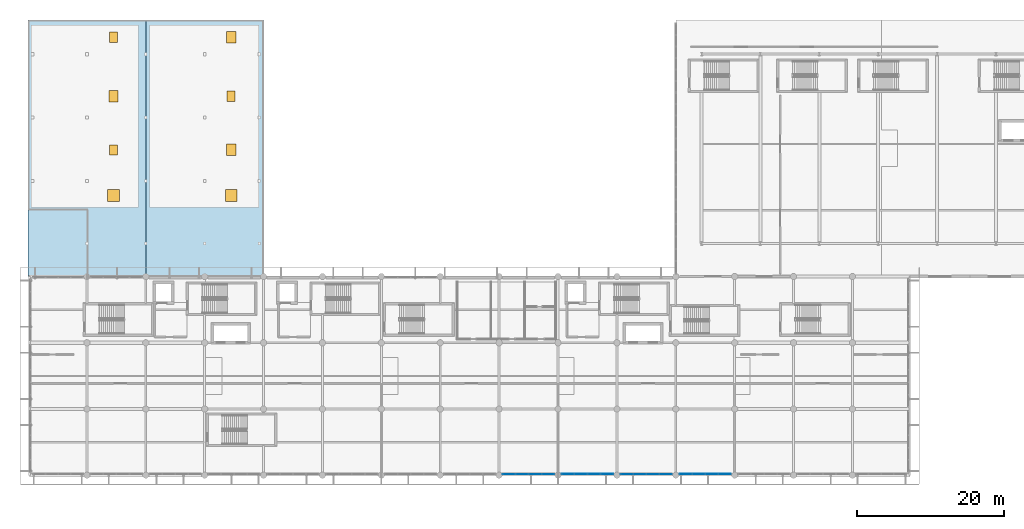
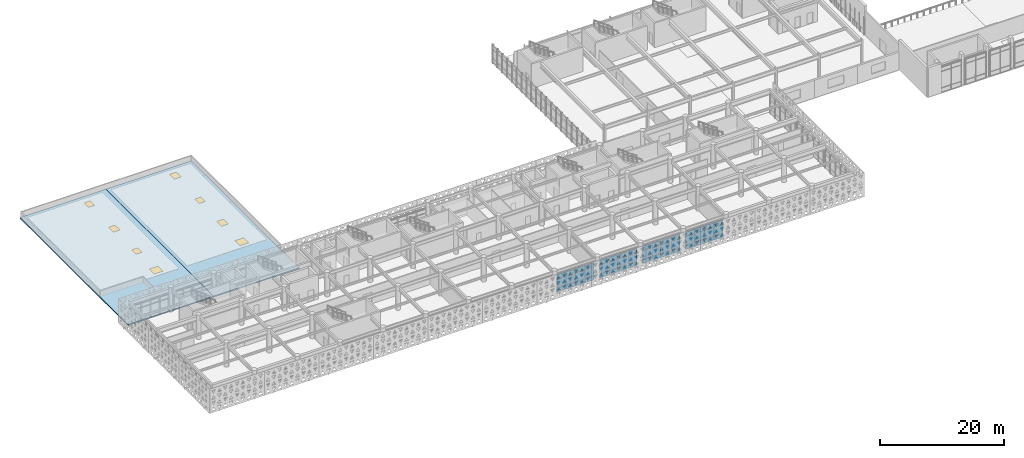
# One storey, part 30 of 54: 48 plates, 6 doors, 2 slabs, 2 windows, 8 openings, 4 elements without a shape of their own.
"""IFC4 building model written with IfcOpenShell, lengths in metres."""

from ifc_helpers import new_model, si_unit, direction, frame, origin, origin_2d, place, context, subcontext, project, spatial, polyline, rectangle, outline, extrude, material, layer, layer_set, type_object, element, fill, aggregate, save


model = new_model("IFC4")

# Units and contexts
model_context = context("Model", 3, precision=1e-05, world=origin(), true_north=direction((0.0, 1.0)))
body_context = subcontext(model_context, "Body", "Model", "MODEL_VIEW")
ifc_project = project(units=[si_unit("LENGTHUNIT", "METRE"), si_unit("AREAUNIT", "SQUARE_METRE"), si_unit("VOLUMEUNIT", "CUBIC_METRE"), si_unit("PLANEANGLEUNIT", "RADIAN"), si_unit("MASSUNIT", "GRAM", prefix="KILO")], contexts=[model_context])

# Site, building, storey
site_placement = place(None, origin())
site = spatial("IfcSite", under=ifc_project, at=site_placement, CompositionType="ELEMENT")
building_placement = place(site_placement, origin())
building = spatial("IfcBuilding", under=site, at=building_placement, Name="Tlacozan Convention Centre", CompositionType="ELEMENT")
storey_placement = place(building_placement, frame((0.0, 0.0, 11.39990234375)))
storey = spatial("IfcBuildingStorey", under=building, at=storey_placement, Name="L02", CompositionType="ELEMENT", Elevation=11.39990234375)

# Curtain wall, plates
ifc_material_1 = material(Name="Dark Bronze Anodised Aluminium", Category="aluminium")
ifc_layer_1 = layer(ifc_material_1, 0.159912109375)
ifc_layer_set_1 = layer_set([ifc_layer_1], Name="Dark Bronze Anodised Aluminium")
curtain_wall_type = type_object("IfcCurtainWallType", Name="Unitised Congress L02 South CW03", PredefinedType="NOTDEFINED", material=ifc_layer_set_1)
curtain_wall_1_placement = place(storey_placement, origin())
curtain_wall_1 = element("IfcCurtainWall", 1, at=curtain_wall_1_placement, inside=storey, type_object=curtain_wall_type, Name="L02 CW-03 Run 86", PredefinedType="NOTDEFINED")
ifc_material_2 = material(Name="Solar Control Double Low-E Argon Glazing", Category="glass")
ifc_layer_2 = layer(ifc_material_2, 0.02001953125)
ifc_layer_set_2 = layer_set([ifc_layer_2], Name="Solar Control Double Low-E Argon Glazing")
plate_type_1 = type_object("IfcPlateType", Name="Double Low-E Glazed CW Panel 20", PredefinedType="CURTAIN_PANEL", material=ifc_layer_set_2)
plate_1_placement = place(storey_placement, frame((65.353759765625, 0.159912109375, 0.06494140625), z_axis=(0.0, 0.0, 1.0), x_axis=(1.0, 0.0, 0.0)))
plate_1 = element("IfcPlate", 2, at=plate_1_placement, type_object=plate_type_1, Name="CW-03 panel 1.1", PredefinedType="CURTAIN_PANEL", context=body_context, shape_type="SweptSolid", body=[
    extrude(rectangle(XDim=1.677490234375, YDim=0.02001953125, at=origin_2d()), origin(), (0.0, 0.0, 1.0), 0.802490234375),
])
plate_2_placement = place(storey_placement, frame((65.353759765625, 0.159912109375, 0.9326171875), z_axis=(0.0, 0.0, 1.0), x_axis=(1.0, 0.0, 0.0)))
plate_2 = element("IfcPlate", 3, at=plate_2_placement, type_object=plate_type_1, Name="CW-03 panel 1.2", PredefinedType="CURTAIN_PANEL", context=body_context, shape_type="SweptSolid", body=[
    extrude(rectangle(XDim=1.677490234375, YDim=0.02001953125, at=origin_2d()), origin(), (0.0, 0.0, 1.0), 1.77490234375),
])
plate_3_placement = place(storey_placement, frame((65.353759765625, 0.159912109375, 2.772705078125), z_axis=(0.0, 0.0, 1.0), x_axis=(1.0, 0.0, 0.0)))
plate_3 = element("IfcPlate", 4, at=plate_3_placement, type_object=plate_type_1, Name="CW-03 panel 1.3", PredefinedType="CURTAIN_PANEL", context=body_context, shape_type="SweptSolid", body=[
    extrude(rectangle(XDim=1.677490234375, YDim=0.02001953125, at=origin_2d()), origin(), (0.0, 0.0, 1.0), 0.75244140625),
])
plate_4_placement = place(storey_placement, frame((67.112548828125, 0.159912109375, 0.06494140625), z_axis=(0.0, 0.0, 1.0), x_axis=(1.0, 0.0, 0.0)))
plate_4 = element("IfcPlate", 5, at=plate_4_placement, type_object=plate_type_1, Name="CW-03 panel 2.1", PredefinedType="CURTAIN_PANEL", context=body_context, shape_type="SweptSolid", body=[
    extrude(rectangle(XDim=1.7099609375, YDim=0.02001953125, at=origin_2d()), origin(), (0.0, 0.0, 1.0), 0.802490234375),
])
plate_5_placement = place(storey_placement, frame((67.112548828125, 0.159912109375, 0.9326171875), z_axis=(0.0, 0.0, 1.0), x_axis=(1.0, 0.0, 0.0)))
plate_5 = element("IfcPlate", 6, at=plate_5_placement, type_object=plate_type_1, Name="CW-03 panel 2.2", PredefinedType="CURTAIN_PANEL", context=body_context, shape_type="SweptSolid", body=[
    extrude(rectangle(XDim=1.7099609375, YDim=0.02001953125, at=origin_2d()), origin(), (0.0, 0.0, 1.0), 1.77490234375),
])
plate_6_placement = place(storey_placement, frame((67.112548828125, 0.159912109375, 2.772705078125), z_axis=(0.0, 0.0, 1.0), x_axis=(1.0, 0.0, 0.0)))
plate_6 = element("IfcPlate", 7, at=plate_6_placement, type_object=plate_type_1, Name="CW-03 panel 2.3", PredefinedType="CURTAIN_PANEL", context=body_context, shape_type="SweptSolid", body=[
    extrude(rectangle(XDim=1.7099609375, YDim=0.02001953125, at=origin_2d()), origin(), (0.0, 0.0, 1.0), 0.75244140625),
])
plate_7_placement = place(storey_placement, frame((68.887451171875, 0.159912109375, 0.06494140625), z_axis=(0.0, 0.0, 1.0), x_axis=(1.0, 0.0, 0.0)))
plate_7 = element("IfcPlate", 8, at=plate_7_placement, type_object=plate_type_1, Name="CW-03 panel 3.1", PredefinedType="CURTAIN_PANEL", context=body_context, shape_type="SweptSolid", body=[
    extrude(rectangle(XDim=1.7099609375, YDim=0.02001953125, at=origin_2d()), origin(), (0.0, 0.0, 1.0), 0.802490234375),
])
plate_8_placement = place(storey_placement, frame((68.887451171875, 0.159912109375, 0.9326171875), z_axis=(0.0, 0.0, 1.0), x_axis=(1.0, 0.0, 0.0)))
plate_8 = element("IfcPlate", 9, at=plate_8_placement, type_object=plate_type_1, Name="CW-03 panel 3.2", PredefinedType="CURTAIN_PANEL", context=body_context, shape_type="SweptSolid", body=[
    extrude(rectangle(XDim=1.7099609375, YDim=0.02001953125, at=origin_2d()), origin(), (0.0, 0.0, 1.0), 1.77490234375),
])
plate_9_placement = place(storey_placement, frame((68.887451171875, 0.159912109375, 2.772705078125), z_axis=(0.0, 0.0, 1.0), x_axis=(1.0, 0.0, 0.0)))
plate_9 = element("IfcPlate", 10, at=plate_9_placement, type_object=plate_type_1, Name="CW-03 panel 3.3", PredefinedType="CURTAIN_PANEL", context=body_context, shape_type="SweptSolid", body=[
    extrude(rectangle(XDim=1.7099609375, YDim=0.02001953125, at=origin_2d()), origin(), (0.0, 0.0, 1.0), 0.75244140625),
])
plate_10_placement = place(storey_placement, frame((70.646240234375, 0.159912109375, 0.06494140625), z_axis=(0.0, 0.0, 1.0), x_axis=(1.0, 0.0, 0.0)))
plate_10 = element("IfcPlate", 11, at=plate_10_placement, type_object=plate_type_1, Name="CW-03 panel 4.1", PredefinedType="CURTAIN_PANEL", context=body_context, shape_type="SweptSolid", body=[
    extrude(rectangle(XDim=1.677490234375, YDim=0.02001953125, at=origin_2d()), origin(), (0.0, 0.0, 1.0), 0.802490234375),
])
plate_11_placement = place(storey_placement, frame((70.646240234375, 0.159912109375, 0.9326171875), z_axis=(0.0, 0.0, 1.0), x_axis=(1.0, 0.0, 0.0)))
plate_11 = element("IfcPlate", 12, at=plate_11_placement, type_object=plate_type_1, Name="CW-03 panel 4.2", PredefinedType="CURTAIN_PANEL", context=body_context, shape_type="SweptSolid", body=[
    extrude(rectangle(XDim=1.677490234375, YDim=0.02001953125, at=origin_2d()), origin(), (0.0, 0.0, 1.0), 1.77490234375),
])
plate_12_placement = place(storey_placement, frame((70.646240234375, 0.159912109375, 2.772705078125), z_axis=(0.0, 0.0, 1.0), x_axis=(1.0, 0.0, 0.0)))
plate_12 = element("IfcPlate", 13, at=plate_12_placement, type_object=plate_type_1, Name="CW-03 panel 4.3", PredefinedType="CURTAIN_PANEL", context=body_context, shape_type="SweptSolid", body=[
    extrude(rectangle(XDim=1.677490234375, YDim=0.02001953125, at=origin_2d()), origin(), (0.0, 0.0, 1.0), 0.75244140625),
])
aggregate(curtain_wall_1, [plate_1, plate_2, plate_3, plate_4, plate_5, plate_6, plate_7, plate_8, plate_9, plate_10, plate_11, plate_12])

curtain_wall_2_placement = place(storey_placement, origin())
curtain_wall_2 = element("IfcCurtainWall", 14, at=curtain_wall_2_placement, inside=storey, type_object=curtain_wall_type, Name="L02 CW-03 Run 88", PredefinedType="NOTDEFINED")
plate_13_placement = place(storey_placement, frame((81.353759765625, 0.159912109375, 0.06494140625), z_axis=(0.0, 0.0, 1.0), x_axis=(1.0, 0.0, 0.0)))
plate_13 = element("IfcPlate", 15, at=plate_13_placement, type_object=plate_type_1, Name="CW-03 panel 1.1", PredefinedType="CURTAIN_PANEL", context=body_context, shape_type="SweptSolid", body=[
    extrude(rectangle(XDim=1.677490234375, YDim=0.02001953125, at=origin_2d()), origin(), (0.0, 0.0, 1.0), 0.802490234375),
])
plate_14_placement = place(storey_placement, frame((81.353759765625, 0.159912109375, 0.9326171875), z_axis=(0.0, 0.0, 1.0), x_axis=(1.0, 0.0, 0.0)))
plate_14 = element("IfcPlate", 16, at=plate_14_placement, type_object=plate_type_1, Name="CW-03 panel 1.2", PredefinedType="CURTAIN_PANEL", context=body_context, shape_type="SweptSolid", body=[
    extrude(rectangle(XDim=1.677490234375, YDim=0.02001953125, at=origin_2d()), origin(), (0.0, 0.0, 1.0), 1.77490234375),
])
plate_15_placement = place(storey_placement, frame((81.353759765625, 0.159912109375, 2.772705078125), z_axis=(0.0, 0.0, 1.0), x_axis=(1.0, 0.0, 0.0)))
plate_15 = element("IfcPlate", 17, at=plate_15_placement, type_object=plate_type_1, Name="CW-03 panel 1.3", PredefinedType="CURTAIN_PANEL", context=body_context, shape_type="SweptSolid", body=[
    extrude(rectangle(XDim=1.677490234375, YDim=0.02001953125, at=origin_2d()), origin(), (0.0, 0.0, 1.0), 0.75244140625),
])
plate_16_placement = place(storey_placement, frame((83.112548828125, 0.159912109375, 0.06494140625), z_axis=(0.0, 0.0, 1.0), x_axis=(1.0, 0.0, 0.0)))
plate_16 = element("IfcPlate", 18, at=plate_16_placement, type_object=plate_type_1, Name="CW-03 panel 2.1", PredefinedType="CURTAIN_PANEL", context=body_context, shape_type="SweptSolid", body=[
    extrude(rectangle(XDim=1.7099609375, YDim=0.02001953125, at=origin_2d()), origin(), (0.0, 0.0, 1.0), 0.802490234375),
])
plate_17_placement = place(storey_placement, frame((83.112548828125, 0.159912109375, 0.9326171875), z_axis=(0.0, 0.0, 1.0), x_axis=(1.0, 0.0, 0.0)))
plate_17 = element("IfcPlate", 19, at=plate_17_placement, type_object=plate_type_1, Name="CW-03 panel 2.2", PredefinedType="CURTAIN_PANEL", context=body_context, shape_type="SweptSolid", body=[
    extrude(rectangle(XDim=1.7099609375, YDim=0.02001953125, at=origin_2d()), origin(), (0.0, 0.0, 1.0), 1.77490234375),
])
plate_18_placement = place(storey_placement, frame((83.112548828125, 0.159912109375, 2.772705078125), z_axis=(0.0, 0.0, 1.0), x_axis=(1.0, 0.0, 0.0)))
plate_18 = element("IfcPlate", 20, at=plate_18_placement, type_object=plate_type_1, Name="CW-03 panel 2.3", PredefinedType="CURTAIN_PANEL", context=body_context, shape_type="SweptSolid", body=[
    extrude(rectangle(XDim=1.7099609375, YDim=0.02001953125, at=origin_2d()), origin(), (0.0, 0.0, 1.0), 0.75244140625),
])
plate_19_placement = place(storey_placement, frame((84.887451171875, 0.159912109375, 0.06494140625), z_axis=(0.0, 0.0, 1.0), x_axis=(1.0, 0.0, 0.0)))
plate_19 = element("IfcPlate", 21, at=plate_19_placement, type_object=plate_type_1, Name="CW-03 panel 3.1", PredefinedType="CURTAIN_PANEL", context=body_context, shape_type="SweptSolid", body=[
    extrude(rectangle(XDim=1.7099609375, YDim=0.02001953125, at=origin_2d()), origin(), (0.0, 0.0, 1.0), 0.802490234375),
])
plate_20_placement = place(storey_placement, frame((84.887451171875, 0.159912109375, 0.9326171875), z_axis=(0.0, 0.0, 1.0), x_axis=(1.0, 0.0, 0.0)))
plate_20 = element("IfcPlate", 22, at=plate_20_placement, type_object=plate_type_1, Name="CW-03 panel 3.2", PredefinedType="CURTAIN_PANEL", context=body_context, shape_type="SweptSolid", body=[
    extrude(rectangle(XDim=1.7099609375, YDim=0.02001953125, at=origin_2d()), origin(), (0.0, 0.0, 1.0), 1.77490234375),
])
plate_21_placement = place(storey_placement, frame((84.887451171875, 0.159912109375, 2.772705078125), z_axis=(0.0, 0.0, 1.0), x_axis=(1.0, 0.0, 0.0)))
plate_21 = element("IfcPlate", 23, at=plate_21_placement, type_object=plate_type_1, Name="CW-03 panel 3.3", PredefinedType="CURTAIN_PANEL", context=body_context, shape_type="SweptSolid", body=[
    extrude(rectangle(XDim=1.7099609375, YDim=0.02001953125, at=origin_2d()), origin(), (0.0, 0.0, 1.0), 0.75244140625),
])
plate_22_placement = place(storey_placement, frame((86.646240234375, 0.159912109375, 0.06494140625), z_axis=(0.0, 0.0, 1.0), x_axis=(1.0, 0.0, 0.0)))
plate_22 = element("IfcPlate", 24, at=plate_22_placement, type_object=plate_type_1, Name="CW-03 panel 4.1", PredefinedType="CURTAIN_PANEL", context=body_context, shape_type="SweptSolid", body=[
    extrude(rectangle(XDim=1.677490234375, YDim=0.02001953125, at=origin_2d()), origin(), (0.0, 0.0, 1.0), 0.802490234375),
])
plate_23_placement = place(storey_placement, frame((86.646240234375, 0.159912109375, 0.9326171875), z_axis=(0.0, 0.0, 1.0), x_axis=(1.0, 0.0, 0.0)))
plate_23 = element("IfcPlate", 25, at=plate_23_placement, type_object=plate_type_1, Name="CW-03 panel 4.2", PredefinedType="CURTAIN_PANEL", context=body_context, shape_type="SweptSolid", body=[
    extrude(rectangle(XDim=1.677490234375, YDim=0.02001953125, at=origin_2d()), origin(), (0.0, 0.0, 1.0), 1.77490234375),
])
plate_24_placement = place(storey_placement, frame((86.646240234375, 0.159912109375, 2.772705078125), z_axis=(0.0, 0.0, 1.0), x_axis=(1.0, 0.0, 0.0)))
plate_24 = element("IfcPlate", 26, at=plate_24_placement, type_object=plate_type_1, Name="CW-03 panel 4.3", PredefinedType="CURTAIN_PANEL", context=body_context, shape_type="SweptSolid", body=[
    extrude(rectangle(XDim=1.677490234375, YDim=0.02001953125, at=origin_2d()), origin(), (0.0, 0.0, 1.0), 0.75244140625),
])
aggregate(curtain_wall_2, [plate_13, plate_14, plate_15, plate_16, plate_17, plate_18, plate_19, plate_20, plate_21, plate_22, plate_23, plate_24])

curtain_wall_3_placement = place(storey_placement, origin())
curtain_wall_3 = element("IfcCurtainWall", 27, at=curtain_wall_3_placement, inside=storey, type_object=curtain_wall_type, Name="L02 CW-03 Run 87", PredefinedType="NOTDEFINED")
ifc_layer_3 = layer(ifc_material_2, 0.0400390625)
ifc_layer_set_3 = layer_set([ifc_layer_3], Name="Solar Control Double Low-E Argon Glazing")
plate_type_2 = type_object("IfcPlateType", Name="Insulated Spandrel CW Panel 40", PredefinedType="CURTAIN_PANEL", material=ifc_layer_set_3)
plate_25_placement = place(storey_placement, frame((73.353759765625, 0.159912109375, 0.06494140625), z_axis=(0.0, 0.0, 1.0), x_axis=(1.0, 0.0, 0.0)))
plate_25 = element("IfcPlate", 28, at=plate_25_placement, type_object=plate_type_2, Name="CW-03 panel 1.1", PredefinedType="CURTAIN_PANEL", context=body_context, shape_type="SweptSolid", body=[
    extrude(rectangle(XDim=1.677490234375, YDim=0.0400390625, at=origin_2d()), origin(), (0.0, 0.0, 1.0), 0.802490234375),
])
plate_26_placement = place(storey_placement, frame((73.353759765625, 0.159912109375, 0.9326171875), z_axis=(0.0, 0.0, 1.0), x_axis=(1.0, 0.0, 0.0)))
plate_26 = element("IfcPlate", 29, at=plate_26_placement, type_object=plate_type_2, Name="CW-03 panel 1.2", PredefinedType="CURTAIN_PANEL", context=body_context, shape_type="SweptSolid", body=[
    extrude(rectangle(XDim=1.677490234375, YDim=0.0400390625, at=origin_2d()), origin(), (0.0, 0.0, 1.0), 1.77490234375),
])
plate_27_placement = place(storey_placement, frame((73.353759765625, 0.159912109375, 2.772705078125), z_axis=(0.0, 0.0, 1.0), x_axis=(1.0, 0.0, 0.0)))
plate_27 = element("IfcPlate", 30, at=plate_27_placement, type_object=plate_type_2, Name="CW-03 panel 1.3", PredefinedType="CURTAIN_PANEL", context=body_context, shape_type="SweptSolid", body=[
    extrude(rectangle(XDim=1.677490234375, YDim=0.0400390625, at=origin_2d()), origin(), (0.0, 0.0, 1.0), 0.75244140625),
])
plate_28_placement = place(storey_placement, frame((75.112548828125, 0.159912109375, 0.06494140625), z_axis=(0.0, 0.0, 1.0), x_axis=(1.0, 0.0, 0.0)))
plate_28 = element("IfcPlate", 31, at=plate_28_placement, type_object=plate_type_2, Name="CW-03 panel 2.1", PredefinedType="CURTAIN_PANEL", context=body_context, shape_type="SweptSolid", body=[
    extrude(rectangle(XDim=1.7099609375, YDim=0.0400390625, at=origin_2d()), origin(), (0.0, 0.0, 1.0), 0.802490234375),
])
plate_29_placement = place(storey_placement, frame((75.112548828125, 0.159912109375, 0.9326171875), z_axis=(0.0, 0.0, 1.0), x_axis=(1.0, 0.0, 0.0)))
plate_29 = element("IfcPlate", 32, at=plate_29_placement, type_object=plate_type_2, Name="CW-03 panel 2.2", PredefinedType="CURTAIN_PANEL", context=body_context, shape_type="SweptSolid", body=[
    extrude(rectangle(XDim=1.7099609375, YDim=0.0400390625, at=origin_2d()), origin(), (0.0, 0.0, 1.0), 1.77490234375),
])
plate_30_placement = place(storey_placement, frame((75.112548828125, 0.159912109375, 2.772705078125), z_axis=(0.0, 0.0, 1.0), x_axis=(1.0, 0.0, 0.0)))
plate_30 = element("IfcPlate", 33, at=plate_30_placement, type_object=plate_type_2, Name="CW-03 panel 2.3", PredefinedType="CURTAIN_PANEL", context=body_context, shape_type="SweptSolid", body=[
    extrude(rectangle(XDim=1.7099609375, YDim=0.0400390625, at=origin_2d()), origin(), (0.0, 0.0, 1.0), 0.75244140625),
])
plate_31_placement = place(storey_placement, frame((76.887451171875, 0.159912109375, 0.06494140625), z_axis=(0.0, 0.0, 1.0), x_axis=(1.0, 0.0, 0.0)))
plate_31 = element("IfcPlate", 34, at=plate_31_placement, type_object=plate_type_2, Name="CW-03 panel 3.1", PredefinedType="CURTAIN_PANEL", context=body_context, shape_type="SweptSolid", body=[
    extrude(rectangle(XDim=1.7099609375, YDim=0.0400390625, at=origin_2d()), origin(), (0.0, 0.0, 1.0), 0.802490234375),
])
plate_32_placement = place(storey_placement, frame((76.887451171875, 0.159912109375, 0.9326171875), z_axis=(0.0, 0.0, 1.0), x_axis=(1.0, 0.0, 0.0)))
plate_32 = element("IfcPlate", 35, at=plate_32_placement, type_object=plate_type_2, Name="CW-03 panel 3.2", PredefinedType="CURTAIN_PANEL", context=body_context, shape_type="SweptSolid", body=[
    extrude(rectangle(XDim=1.7099609375, YDim=0.0400390625, at=origin_2d()), origin(), (0.0, 0.0, 1.0), 1.77490234375),
])
plate_33_placement = place(storey_placement, frame((76.887451171875, 0.159912109375, 2.772705078125), z_axis=(0.0, 0.0, 1.0), x_axis=(1.0, 0.0, 0.0)))
plate_33 = element("IfcPlate", 36, at=plate_33_placement, type_object=plate_type_2, Name="CW-03 panel 3.3", PredefinedType="CURTAIN_PANEL", context=body_context, shape_type="SweptSolid", body=[
    extrude(rectangle(XDim=1.7099609375, YDim=0.0400390625, at=origin_2d()), origin(), (0.0, 0.0, 1.0), 0.75244140625),
])
plate_34_placement = place(storey_placement, frame((78.646240234375, 0.159912109375, 0.06494140625), z_axis=(0.0, 0.0, 1.0), x_axis=(1.0, 0.0, 0.0)))
plate_34 = element("IfcPlate", 37, at=plate_34_placement, type_object=plate_type_2, Name="CW-03 panel 4.1", PredefinedType="CURTAIN_PANEL", context=body_context, shape_type="SweptSolid", body=[
    extrude(rectangle(XDim=1.677490234375, YDim=0.0400390625, at=origin_2d()), origin(), (0.0, 0.0, 1.0), 0.802490234375),
])
plate_35_placement = place(storey_placement, frame((78.646240234375, 0.159912109375, 0.9326171875), z_axis=(0.0, 0.0, 1.0), x_axis=(1.0, 0.0, 0.0)))
plate_35 = element("IfcPlate", 38, at=plate_35_placement, type_object=plate_type_2, Name="CW-03 panel 4.2", PredefinedType="CURTAIN_PANEL", context=body_context, shape_type="SweptSolid", body=[
    extrude(rectangle(XDim=1.677490234375, YDim=0.0400390625, at=origin_2d()), origin(), (0.0, 0.0, 1.0), 1.77490234375),
])
plate_36_placement = place(storey_placement, frame((78.646240234375, 0.159912109375, 2.772705078125), z_axis=(0.0, 0.0, 1.0), x_axis=(1.0, 0.0, 0.0)))
plate_36 = element("IfcPlate", 39, at=plate_36_placement, type_object=plate_type_2, Name="CW-03 panel 4.3", PredefinedType="CURTAIN_PANEL", context=body_context, shape_type="SweptSolid", body=[
    extrude(rectangle(XDim=1.677490234375, YDim=0.0400390625, at=origin_2d()), origin(), (0.0, 0.0, 1.0), 0.75244140625),
])
aggregate(curtain_wall_3, [plate_25, plate_26, plate_27, plate_28, plate_29, plate_30, plate_31, plate_32, plate_33, plate_34, plate_35, plate_36])

curtain_wall_4_placement = place(storey_placement, origin())
curtain_wall_4 = element("IfcCurtainWall", 40, at=curtain_wall_4_placement, inside=storey, type_object=curtain_wall_type, Name="L02 CW-03 Run 89", PredefinedType="NOTDEFINED")
plate_37_placement = place(storey_placement, frame((89.353759765625, 0.159912109375, 0.06494140625), z_axis=(0.0, 0.0, 1.0), x_axis=(1.0, 0.0, 0.0)))
plate_37 = element("IfcPlate", 41, at=plate_37_placement, type_object=plate_type_2, Name="CW-03 panel 1.1", PredefinedType="CURTAIN_PANEL", context=body_context, shape_type="SweptSolid", body=[
    extrude(rectangle(XDim=1.677490234375, YDim=0.0400390625, at=origin_2d()), origin(), (0.0, 0.0, 1.0), 0.802490234375),
])
plate_38_placement = place(storey_placement, frame((89.353759765625, 0.159912109375, 0.9326171875), z_axis=(0.0, 0.0, 1.0), x_axis=(1.0, 0.0, 0.0)))
plate_38 = element("IfcPlate", 42, at=plate_38_placement, type_object=plate_type_2, Name="CW-03 panel 1.2", PredefinedType="CURTAIN_PANEL", context=body_context, shape_type="SweptSolid", body=[
    extrude(rectangle(XDim=1.677490234375, YDim=0.0400390625, at=origin_2d()), origin(), (0.0, 0.0, 1.0), 1.77490234375),
])
plate_39_placement = place(storey_placement, frame((89.353759765625, 0.159912109375, 2.772705078125), z_axis=(0.0, 0.0, 1.0), x_axis=(1.0, 0.0, 0.0)))
plate_39 = element("IfcPlate", 43, at=plate_39_placement, type_object=plate_type_2, Name="CW-03 panel 1.3", PredefinedType="CURTAIN_PANEL", context=body_context, shape_type="SweptSolid", body=[
    extrude(rectangle(XDim=1.677490234375, YDim=0.0400390625, at=origin_2d()), origin(), (0.0, 0.0, 1.0), 0.75244140625),
])
plate_40_placement = place(storey_placement, frame((91.112548828125, 0.159912109375, 0.06494140625), z_axis=(0.0, 0.0, 1.0), x_axis=(1.0, 0.0, 0.0)))
plate_40 = element("IfcPlate", 44, at=plate_40_placement, type_object=plate_type_2, Name="CW-03 panel 2.1", PredefinedType="CURTAIN_PANEL", context=body_context, shape_type="SweptSolid", body=[
    extrude(rectangle(XDim=1.7099609375, YDim=0.0400390625, at=origin_2d()), origin(), (0.0, 0.0, 1.0), 0.802490234375),
])
plate_41_placement = place(storey_placement, frame((91.112548828125, 0.159912109375, 0.9326171875), z_axis=(0.0, 0.0, 1.0), x_axis=(1.0, 0.0, 0.0)))
plate_41 = element("IfcPlate", 45, at=plate_41_placement, type_object=plate_type_2, Name="CW-03 panel 2.2", PredefinedType="CURTAIN_PANEL", context=body_context, shape_type="SweptSolid", body=[
    extrude(rectangle(XDim=1.7099609375, YDim=0.0400390625, at=origin_2d()), origin(), (0.0, 0.0, 1.0), 1.77490234375),
])
plate_42_placement = place(storey_placement, frame((91.112548828125, 0.159912109375, 2.772705078125), z_axis=(0.0, 0.0, 1.0), x_axis=(1.0, 0.0, 0.0)))
plate_42 = element("IfcPlate", 46, at=plate_42_placement, type_object=plate_type_2, Name="CW-03 panel 2.3", PredefinedType="CURTAIN_PANEL", context=body_context, shape_type="SweptSolid", body=[
    extrude(rectangle(XDim=1.7099609375, YDim=0.0400390625, at=origin_2d()), origin(), (0.0, 0.0, 1.0), 0.75244140625),
])
plate_43_placement = place(storey_placement, frame((92.887451171875, 0.159912109375, 0.06494140625), z_axis=(0.0, 0.0, 1.0), x_axis=(1.0, 0.0, 0.0)))
plate_43 = element("IfcPlate", 47, at=plate_43_placement, type_object=plate_type_2, Name="CW-03 panel 3.1", PredefinedType="CURTAIN_PANEL", context=body_context, shape_type="SweptSolid", body=[
    extrude(rectangle(XDim=1.7099609375, YDim=0.0400390625, at=origin_2d()), origin(), (0.0, 0.0, 1.0), 0.802490234375),
])
plate_44_placement = place(storey_placement, frame((92.887451171875, 0.159912109375, 0.9326171875), z_axis=(0.0, 0.0, 1.0), x_axis=(1.0, 0.0, 0.0)))
plate_44 = element("IfcPlate", 48, at=plate_44_placement, type_object=plate_type_2, Name="CW-03 panel 3.2", PredefinedType="CURTAIN_PANEL", context=body_context, shape_type="SweptSolid", body=[
    extrude(rectangle(XDim=1.7099609375, YDim=0.0400390625, at=origin_2d()), origin(), (0.0, 0.0, 1.0), 1.77490234375),
])
plate_45_placement = place(storey_placement, frame((92.887451171875, 0.159912109375, 2.772705078125), z_axis=(0.0, 0.0, 1.0), x_axis=(1.0, 0.0, 0.0)))
plate_45 = element("IfcPlate", 49, at=plate_45_placement, type_object=plate_type_2, Name="CW-03 panel 3.3", PredefinedType="CURTAIN_PANEL", context=body_context, shape_type="SweptSolid", body=[
    extrude(rectangle(XDim=1.7099609375, YDim=0.0400390625, at=origin_2d()), origin(), (0.0, 0.0, 1.0), 0.75244140625),
])
plate_46_placement = place(storey_placement, frame((94.646240234375, 0.159912109375, 0.06494140625), z_axis=(0.0, 0.0, 1.0), x_axis=(1.0, 0.0, 0.0)))
plate_46 = element("IfcPlate", 50, at=plate_46_placement, type_object=plate_type_2, Name="CW-03 panel 4.1", PredefinedType="CURTAIN_PANEL", context=body_context, shape_type="SweptSolid", body=[
    extrude(rectangle(XDim=1.677490234375, YDim=0.0400390625, at=origin_2d()), origin(), (0.0, 0.0, 1.0), 0.802490234375),
])
plate_47_placement = place(storey_placement, frame((94.646240234375, 0.159912109375, 0.9326171875), z_axis=(0.0, 0.0, 1.0), x_axis=(1.0, 0.0, 0.0)))
plate_47 = element("IfcPlate", 51, at=plate_47_placement, type_object=plate_type_2, Name="CW-03 panel 4.2", PredefinedType="CURTAIN_PANEL", context=body_context, shape_type="SweptSolid", body=[
    extrude(rectangle(XDim=1.677490234375, YDim=0.0400390625, at=origin_2d()), origin(), (0.0, 0.0, 1.0), 1.77490234375),
])
plate_48_placement = place(storey_placement, frame((94.646240234375, 0.159912109375, 2.772705078125), z_axis=(0.0, 0.0, 1.0), x_axis=(1.0, 0.0, 0.0)))
plate_48 = element("IfcPlate", 52, at=plate_48_placement, type_object=plate_type_2, Name="CW-03 panel 4.3", PredefinedType="CURTAIN_PANEL", context=body_context, shape_type="SweptSolid", body=[
    extrude(rectangle(XDim=1.677490234375, YDim=0.0400390625, at=origin_2d()), origin(), (0.0, 0.0, 1.0), 0.75244140625),
])
aggregate(curtain_wall_4, [plate_37, plate_38, plate_39, plate_40, plate_41, plate_42, plate_43, plate_44, plate_45, plate_46, plate_47, plate_48])

# Slab, openings, doors, window
ifc_material_3 = material(Name="Concrete C40/50", Category="concrete")
ifc_layer_4 = layer(ifc_material_3, 0.219970703125)
ifc_layer_set_4 = layer_set([ifc_layer_4], Name="Concrete C40/50")
slab_type = type_object("IfcSlabType", Name="Service Wing Roof Slab 220", PredefinedType="ROOF", material=ifc_layer_set_4)
slab_1_placement = place(storey_placement, frame((0.0, 0.0, -0.219970703125)))
slab_1 = element("IfcSlab", 53, at=slab_1_placement, inside=storey, type_object=slab_type, Name="L02 Service Wing Roof Slab 220 76", PredefinedType="ROOF", context=body_context, shape_type="SweptSolid", body=[
    extrude(outline(polyline([(0.0, 27.0), (0.0, 61.85009765625), (16.0, 61.85009765625), (16.0, 27.0), (0.0, 27.0)])), origin(), (0.0, 0.0, 1.0), 0.219970703125),
])
opening_1_placement = place(slab_1_placement, frame((11.60009765625, 44.199951171875, 0.0)))
opening_1 = element("IfcOpeningElement", 54, at=opening_1_placement, cuts=slab_1, Name="Opening RH-01", PredefinedType="OPENING", context=body_context, shape_type="SweptSolid", body=[
    extrude(rectangle(XDim=1.10009765625, YDim=1.39990234375, at=origin_2d()), frame((0.0, 0.0, -0.010009765625)), (0.0, 0.0, 1.0), 0.239990234375),
])
opening_2_placement = place(slab_1_placement, frame((11.60009765625, 51.5, 0.0)))
opening_2 = element("IfcOpeningElement", 55, at=opening_2_placement, cuts=slab_1, Name="Opening RH-02", PredefinedType="OPENING", context=body_context, shape_type="SweptSolid", body=[
    extrude(rectangle(XDim=1.25, YDim=1.550048828125, at=origin_2d()), frame((0.0, 0.0, -0.010009765625)), (0.0, 0.0, 1.0), 0.239990234375),
])
opening_3_placement = place(slab_1_placement, frame((11.60009765625, 59.5, 0.0)))
opening_3 = element("IfcOpeningElement", 56, at=opening_3_placement, cuts=slab_1, Name="Opening RH-01", PredefinedType="OPENING", context=body_context, shape_type="SweptSolid", body=[
    extrude(rectangle(XDim=1.10009765625, YDim=1.39990234375, at=origin_2d()), frame((0.0, 0.0, -0.010009765625)), (0.0, 0.0, 1.0), 0.239990234375),
])
opening_4_placement = place(slab_1_placement, frame((11.60009765625, 38.0, 0.0)))
opening_4 = element("IfcOpeningElement", 57, at=opening_4_placement, cuts=slab_1, Name="Opening SK-06", PredefinedType="OPENING", context=body_context, shape_type="SweptSolid", body=[
    extrude(rectangle(XDim=1.60009765625, YDim=1.60009765625, at=origin_2d()), frame((0.0, 0.0, -0.010009765625)), (0.0, 0.0, 1.0), 0.239990234375),
])
ifc_material_4 = material(Name="Insulated Aluminium Roof Access Hatch", Category="aluminium")
door_type_1 = type_object("IfcDoorType", Name="Insulated Roof Access Hatch 1100x1400", OperationType="SINGLE_SWING_LEFT", PredefinedType="TRAPDOOR", material=ifc_material_4)
door_1_placement = place(opening_1_placement, frame((0.0, 0.0, 0.169921875)))
door_1 = element("IfcDoor", 58, at=door_1_placement, inside=storey, type_object=door_type_1, Name="Service Wing Roof Access Hatch 1", OperationType="SINGLE_SWING_LEFT", OverallHeight=1.39990234375, OverallWidth=1.10009765625, PredefinedType="TRAPDOOR", context=body_context, shape_type="SweptSolid", body=[
    extrude(rectangle(XDim=1.10009765625, YDim=1.39990234375, at=origin_2d()), origin(), (0.0, 0.0, 1.0), 0.050048828125),
])
fill(opening_1, door_1)
door_2_placement = place(opening_3_placement, frame((0.0, 0.0, 0.169921875)))
door_2 = element("IfcDoor", 59, at=door_2_placement, inside=storey, type_object=door_type_1, Name="Service Wing Roof Access Hatch 3", OperationType="SINGLE_SWING_LEFT", OverallHeight=1.39990234375, OverallWidth=1.10009765625, PredefinedType="TRAPDOOR", context=body_context, shape_type="SweptSolid", body=[
    extrude(rectangle(XDim=1.10009765625, YDim=1.39990234375, at=origin_2d()), origin(), (0.0, 0.0, 1.0), 0.050048828125),
])
fill(opening_3, door_2)
window_type = type_object("IfcWindowType", Name="Service Wing Skylight 1600x1600", PartitioningType="SINGLE_PANEL", PredefinedType="SKYLIGHT", material=ifc_material_2)
window_1_placement = place(opening_4_placement, frame((0.0, 0.0, 0.169921875)))
window_1 = element("IfcWindow", 60, at=window_1_placement, inside=storey, type_object=window_type, Name="Service Wing Skylight 9", OverallHeight=1.60009765625, OverallWidth=1.60009765625, PartitioningType="SINGLE_PANEL", PredefinedType="SKYLIGHT", context=body_context, shape_type="SweptSolid", body=[
    extrude(rectangle(XDim=1.60009765625, YDim=1.60009765625, at=origin_2d()), origin(), (0.0, 0.0, 1.0), 0.050048828125),
])
fill(opening_4, window_1)
door_type_2 = type_object("IfcDoorType", Name="Smoke Maintenance Roof Hatch 1250x1550", OperationType="SINGLE_SWING_LEFT", PredefinedType="TRAPDOOR", material=ifc_material_4)
door_3_placement = place(opening_2_placement, frame((0.0, 0.0, 0.169921875)))
door_3 = element("IfcDoor", 61, at=door_3_placement, inside=storey, type_object=door_type_2, Name="Service Wing Roof Access Hatch 2", OperationType="SINGLE_SWING_LEFT", OverallHeight=1.550048828125, OverallWidth=1.25, PredefinedType="TRAPDOOR", context=body_context, shape_type="SweptSolid", body=[
    extrude(rectangle(XDim=1.25, YDim=1.550048828125, at=origin_2d()), origin(), (0.0, 0.0, 1.0), 0.050048828125),
])
fill(opening_2, door_3)

slab_2_placement = place(storey_placement, frame((0.0, 0.0, -0.219970703125)))
slab_2 = element("IfcSlab", 62, at=slab_2_placement, inside=storey, type_object=slab_type, Name="L02 Service Wing Roof Slab 220 77", PredefinedType="ROOF", context=body_context, shape_type="SweptSolid", body=[
    extrude(outline(polyline([(16.0, 27.0), (16.0, 61.85009765625), (32.0, 61.85009765625), (32.0, 27.0), (16.0, 27.0)])), origin(), (0.0, 0.0, 1.0), 0.219970703125),
])
opening_5_placement = place(slab_2_placement, frame((27.60009765625, 44.199951171875, 0.0)))
opening_5 = element("IfcOpeningElement", 63, at=opening_5_placement, cuts=slab_2, Name="Opening RH-02", PredefinedType="OPENING", context=body_context, shape_type="SweptSolid", body=[
    extrude(rectangle(XDim=1.25, YDim=1.550048828125, at=origin_2d()), frame((0.0, 0.0, -0.010009765625)), (0.0, 0.0, 1.0), 0.239990234375),
])
opening_6_placement = place(slab_2_placement, frame((27.60009765625, 51.5, 0.0)))
opening_6 = element("IfcOpeningElement", 64, at=opening_6_placement, cuts=slab_2, Name="Opening RH-01", PredefinedType="OPENING", context=body_context, shape_type="SweptSolid", body=[
    extrude(rectangle(XDim=1.10009765625, YDim=1.39990234375, at=origin_2d()), frame((0.0, 0.0, -0.010009765625)), (0.0, 0.0, 1.0), 0.239990234375),
])
opening_7_placement = place(slab_2_placement, frame((27.60009765625, 59.5, 0.0)))
opening_7 = element("IfcOpeningElement", 65, at=opening_7_placement, cuts=slab_2, Name="Opening RH-02", PredefinedType="OPENING", context=body_context, shape_type="SweptSolid", body=[
    extrude(rectangle(XDim=1.25, YDim=1.550048828125, at=origin_2d()), frame((0.0, 0.0, -0.010009765625)), (0.0, 0.0, 1.0), 0.239990234375),
])
opening_8_placement = place(slab_2_placement, frame((27.60009765625, 38.0, 0.0)))
opening_8 = element("IfcOpeningElement", 66, at=opening_8_placement, cuts=slab_2, Name="Opening SK-06", PredefinedType="OPENING", context=body_context, shape_type="SweptSolid", body=[
    extrude(rectangle(XDim=1.60009765625, YDim=1.60009765625, at=origin_2d()), frame((0.0, 0.0, -0.010009765625)), (0.0, 0.0, 1.0), 0.239990234375),
])
door_4_placement = place(opening_6_placement, frame((0.0, 0.0, 0.169921875)))
door_4 = element("IfcDoor", 67, at=door_4_placement, inside=storey, type_object=door_type_1, Name="Service Wing Roof Access Hatch 5", OperationType="SINGLE_SWING_LEFT", OverallHeight=1.39990234375, OverallWidth=1.10009765625, PredefinedType="TRAPDOOR", context=body_context, shape_type="SweptSolid", body=[
    extrude(rectangle(XDim=1.10009765625, YDim=1.39990234375, at=origin_2d()), origin(), (0.0, 0.0, 1.0), 0.050048828125),
])
fill(opening_6, door_4)
window_2_placement = place(opening_8_placement, frame((0.0, 0.0, 0.169921875)))
window_2 = element("IfcWindow", 68, at=window_2_placement, inside=storey, type_object=window_type, Name="Service Wing Skylight 10", OverallHeight=1.60009765625, OverallWidth=1.60009765625, PartitioningType="SINGLE_PANEL", PredefinedType="SKYLIGHT", context=body_context, shape_type="SweptSolid", body=[
    extrude(rectangle(XDim=1.60009765625, YDim=1.60009765625, at=origin_2d()), origin(), (0.0, 0.0, 1.0), 0.050048828125),
])
fill(opening_8, window_2)
door_5_placement = place(opening_5_placement, frame((0.0, 0.0, 0.169921875)))
door_5 = element("IfcDoor", 69, at=door_5_placement, inside=storey, type_object=door_type_2, Name="Service Wing Roof Access Hatch 4", OperationType="SINGLE_SWING_LEFT", OverallHeight=1.550048828125, OverallWidth=1.25, PredefinedType="TRAPDOOR", context=body_context, shape_type="SweptSolid", body=[
    extrude(rectangle(XDim=1.25, YDim=1.550048828125, at=origin_2d()), origin(), (0.0, 0.0, 1.0), 0.050048828125),
])
fill(opening_5, door_5)
door_6_placement = place(opening_7_placement, frame((0.0, 0.0, 0.169921875)))
door_6 = element("IfcDoor", 70, at=door_6_placement, inside=storey, type_object=door_type_2, Name="Service Wing Roof Access Hatch 6", OperationType="SINGLE_SWING_LEFT", OverallHeight=1.550048828125, OverallWidth=1.25, PredefinedType="TRAPDOOR", context=body_context, shape_type="SweptSolid", body=[
    extrude(rectangle(XDim=1.25, YDim=1.550048828125, at=origin_2d()), origin(), (0.0, 0.0, 1.0), 0.050048828125),
])
fill(opening_7, door_6)

save(model, "model.ifc")
